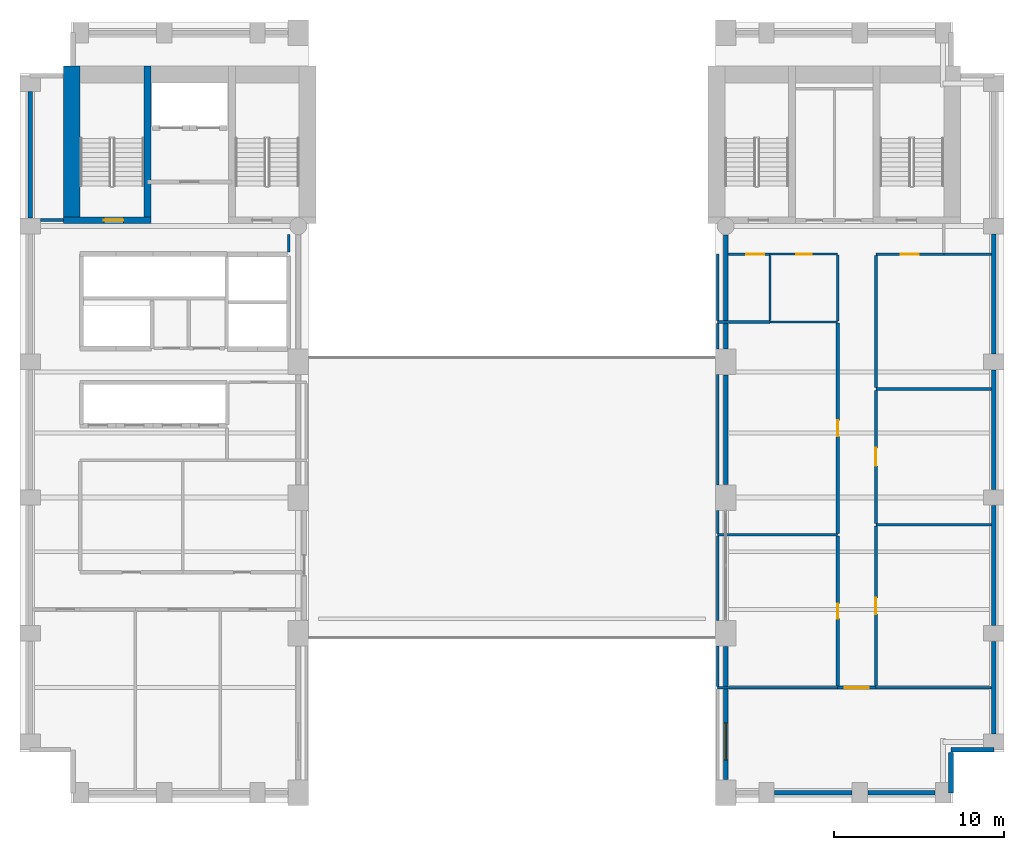
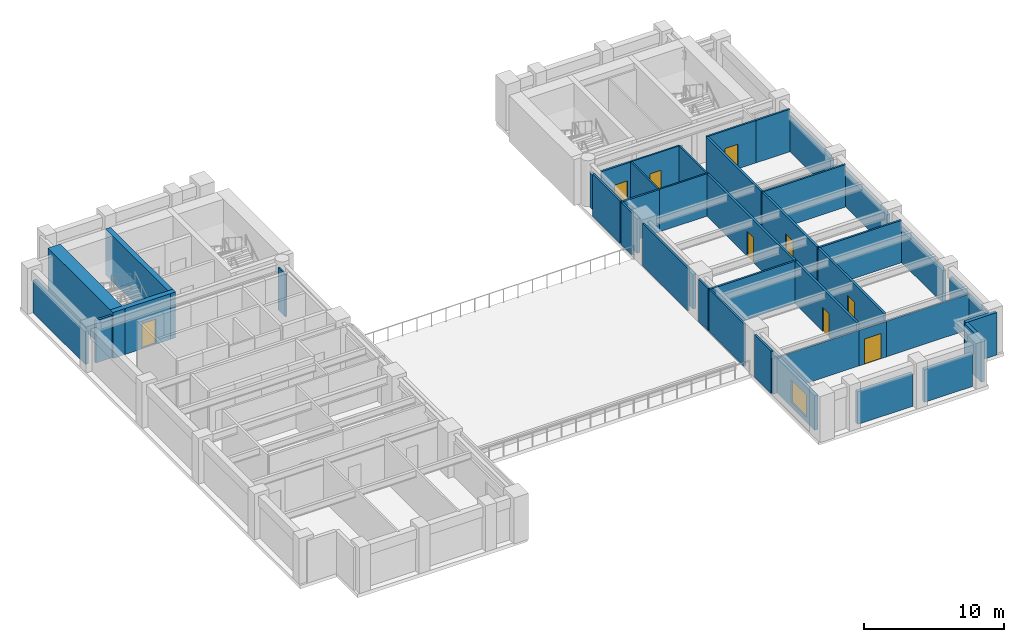
# One storey, part 5 of 10: 42 walls, 9 doors, 1 window, 10 openings.
"""IFC4 building model written with IfcOpenShell, lengths in metres."""

import ifcopenshell
import ifcopenshell.guid

model = None  # the IFC model being written
_history = None  # IfcOwnerHistory: only IFC2X3 demands one
_inside = {}  # id of a spatial element -> (the spatial element, [elements in it])
_under = {}  # id of a project, library or spatial element -> (it, [spatial elements below it])
_declared = {}  # id of a project -> (the project, [libraries it declares])
_typed = {}  # id of a type object -> (the type object, [elements of that type])
_made_of = {}  # id of a material, layer set ... -> (it, [elements and type objects made of it])


def new_model(schema):
    """Start an empty IFC model of exactly this schema.

    Asked for "IFC4X3", IfcOpenShell would pick the latest addendum, in which some entities
    have other attributes; the version numbers below select the first issue.
    IFC2X3 requires an IfcOwnerHistory on every rooted entity: one is made here for all.
    """
    global model, _history
    if schema == "IFC4X3":
        model = ifcopenshell.file(schema_version=(4, 3, 0, 0))
    else:
        model = ifcopenshell.file(schema=schema)
    _inside.clear()
    _under.clear()
    _declared.clear()
    _typed.clear()
    _made_of.clear()
    _history = None
    if model.schema == "IFC2X3":
        org = make("IfcOrganization", Name="unknown")
        user = make(
            "IfcPersonAndOrganization",
            ThePerson=make("IfcPerson", FamilyName="unknown"),
            TheOrganization=org,
        )
        app = make(
            "IfcApplication",
            ApplicationDeveloper=org,
            Version="unknown",
            ApplicationFullName="unknown",
            ApplicationIdentifier="unknown",
        )
        _history = make(
            "IfcOwnerHistory",
            OwningUser=user,
            OwningApplication=app,
            ChangeAction="ADDED",
            CreationDate=0,
        )
    return model


def make(cls, **values):
    """One entity of the class cls with the attributes given. An attribute that is None is left unset."""
    return model.create_entity(
        cls, **{name: value for name, value in values.items() if value is not None}
    )


def rooted(cls, **values):
    """An entity with a GlobalId (a new one), such as an element, a storey or a relation."""
    return make(cls, GlobalId=ifcopenshell.guid.new(), OwnerHistory=_history, **values)


def si_unit(unit_type, name, prefix=None):
    """IfcSIUnit, for example si_unit("LENGTHUNIT", "METRE", prefix="MILLI")."""
    return make("IfcSIUnit", UnitType=unit_type, Prefix=prefix, Name=name)


def assignment(units):
    """IfcUnitAssignment: the units of a project."""
    return None if units is None else make("IfcUnitAssignment", Units=units)


def point(xyz):
    """IfcCartesianPoint."""
    return None if xyz is None else make("IfcCartesianPoint", Coordinates=xyz)


def direction(xyz):
    """IfcDirection."""
    return None if xyz is None else make("IfcDirection", DirectionRatios=xyz)


def frame(location, z_axis=None, x_axis=None):
    """IfcAxis2Placement3D, a coordinate frame: its origin and axes. An axis left out is left unset."""
    return make(
        "IfcAxis2Placement3D",
        Location=point(location),
        Axis=direction(z_axis),
        RefDirection=direction(x_axis),
    )


def frame_2d(location, x_axis=None):
    """IfcAxis2Placement2D, a coordinate frame in the plane: its origin and x axis."""
    return make(
        "IfcAxis2Placement2D", Location=point(location), RefDirection=direction(x_axis)
    )


def origin():
    """The frame at (0, 0, 0) with its axes left unset."""
    return frame((0.0, 0.0, 0.0))


def place(relative_to, where):
    """IfcLocalPlacement: puts the frame where relative to a parent placement (None: the world)."""
    return make(
        "IfcLocalPlacement", PlacementRelTo=relative_to, RelativePlacement=where
    )


def context(
    kind, dimensions, precision=None, world=None, true_north=None, identifier=None
):
    """IfcGeometricRepresentationContext, for example the 3D "Model" context."""
    return make(
        "IfcGeometricRepresentationContext",
        ContextIdentifier=identifier,
        ContextType=kind,
        CoordinateSpaceDimension=dimensions,
        Precision=precision,
        WorldCoordinateSystem=world,
        TrueNorth=true_north,
    )


def subcontext(parent, identifier, kind, view, scale=None):
    """IfcGeometricRepresentationSubContext, for example "Body" below "Model"."""
    return make(
        "IfcGeometricRepresentationSubContext",
        ContextIdentifier=identifier,
        ContextType=kind,
        ParentContext=parent,
        TargetScale=scale,
        TargetView=view,
    )


def project(units=None, contexts=None):
    """IfcProject with its units and contexts."""
    return rooted(
        "IfcProject",
        Name="project",
        RepresentationContexts=contexts,
        UnitsInContext=assignment(units),
    )


def spatial(cls, under=None, at=None, **own):
    """A site, building, storey or space (cls), placed at a placement, below another one or the project."""
    s = rooted(cls, ObjectPlacement=at, **own)
    if under is not None:
        _under.setdefault(under.id(), (under, []))[1].append(s)
    return s


def profile(cls, at=None, kind="AREA", **sizes):
    """A parametric profile (cls). Its sizes go by their IFC names, for example OverallWidth=200.0."""
    return make(cls, ProfileType=kind, Position=at, **sizes)


def rectangle(**sizes):
    """IfcRectangleProfileDef."""
    return profile("IfcRectangleProfileDef", **sizes)


def extrude(swept, where, along, depth):
    """IfcExtrudedAreaSolid: the profile swept, set in the frame where, extruded along a direction by depth."""
    return make(
        "IfcExtrudedAreaSolid",
        SweptArea=swept,
        Position=where,
        ExtrudedDirection=direction(along),
        Depth=depth,
    )


def shape(context_of_items, identifier, shape_type, items):
    """IfcShapeRepresentation: the items that make up one representation, for example the "Body"."""
    return make(
        "IfcShapeRepresentation",
        ContextOfItems=context_of_items,
        RepresentationIdentifier=identifier,
        RepresentationType=shape_type,
        Items=items,
    )


def material(Name=None, Category=None):
    """IfcMaterial."""
    return make("IfcMaterial", Name=Name, Category=Category)


def layer(
    of_material, thickness, ventilated=None, Name=None, Category=None, Priority=None
):
    """IfcMaterialLayer: one layer of a wall or slab, of a material (None: an air gap)."""
    return make(
        "IfcMaterialLayer",
        Material=of_material,
        LayerThickness=thickness,
        IsVentilated=ventilated,
        Name=Name,
        Category=Category,
        Priority=Priority,
    )


def layer_set(layers, Name=None):
    """IfcMaterialLayerSet."""
    return make("IfcMaterialLayerSet", MaterialLayers=layers, LayerSetName=Name)


def made_of(thing, what):
    """Note that an element or type object is made of a material, layer set ...; save() writes the relation."""
    if what is not None:
        _made_of.setdefault(what.id(), (what, []))[1].append(thing)
    return thing


def type_object(cls, material=None, **own):
    """A type object (cls), such as IfcWallType, which elements share."""
    return made_of(rooted(cls, **own), material)


def element(
    cls,
    number,
    at=None,
    inside=None,
    cuts=None,
    type_object=None,
    material=None,
    context=None,
    identifier="Body",
    shape_type=None,
    held_by="IfcProductDefinitionShape",
    body=None,
    shapes=None,
    **own,
):
    """One element of the class cls, such as IfcWall. Its Tag is "e" and its number.

    at: its placement. inside: the storey or other place that contains it. cuts: it is an
    opening in that element (IfcRelVoidsElement). A single representation is given by context,
    identifier, shape_type and body (its items); several are given by shapes. held_by: the class
    of the entity that holds the representations. save() writes the other relations.
    """
    e = rooted(cls, Tag="e%d" % number, ObjectPlacement=at, **own)
    if body is not None:
        shapes = [shape(context, identifier, shape_type, body)]
    if shapes is not None:
        e.Representation = make(held_by, Representations=shapes)
    if inside is not None:
        _inside.setdefault(inside.id(), (inside, []))[1].append(e)
    if cuts is not None:
        rooted(
            "IfcRelVoidsElement", RelatingBuildingElement=cuts, RelatedOpeningElement=e
        )
    if type_object is not None:
        _typed.setdefault(type_object.id(), (type_object, []))[1].append(e)
    return made_of(e, material)


def fill(opening, filler):
    """IfcRelFillsElement: the door or window that sits in an opening."""
    return rooted(
        "IfcRelFillsElement",
        RelatingOpeningElement=opening,
        RelatedBuildingElement=filler,
    )


def aggregate(whole, parts):
    """IfcRelAggregates: a whole, such as a stair, and the parts it consists of."""
    return rooted("IfcRelAggregates", RelatingObject=whole, RelatedObjects=parts)


def save(model, path):
    """Write the relations noted so far, then the file.

    IfcRelAggregates (storeys below a building ...), IfcRelContainedInSpatialStructure (elements
    in a storey), IfcRelDefinesByType, IfcRelAssociatesMaterial and IfcRelDeclares: one each for
    every whole, place, type object, material and project.
    """
    for whole, parts in _under.values():
        aggregate(whole, parts)
    for where, things in _inside.values():
        rooted(
            "IfcRelContainedInSpatialStructure",
            RelatedElements=things,
            RelatingStructure=where,
        )
    for kind, things in _typed.values():
        rooted("IfcRelDefinesByType", RelatedObjects=things, RelatingType=kind)
    for what, things in _made_of.values():
        rooted("IfcRelAssociatesMaterial", RelatedObjects=things, RelatingMaterial=what)
    for by, libraries in _declared.values():
        rooted("IfcRelDeclares", RelatingContext=by, RelatedDefinitions=libraries)
    model.write(path)


model = new_model("IFC4")

# Units and contexts
model_context = context("Model", 3, precision=1e-05, world=origin(), true_north=direction((0.0, 1.0)))
body_context = subcontext(model_context, "Body", "Model", "MODEL_VIEW")
ifc_project = project(units=[si_unit("LENGTHUNIT", "METRE"), si_unit("AREAUNIT", "SQUARE_METRE"), si_unit("VOLUMEUNIT", "CUBIC_METRE"), si_unit("PLANEANGLEUNIT", "RADIAN"), si_unit("MASSUNIT", "GRAM", prefix="KILO")], contexts=[model_context])

# Site, building, storey
site_placement = place(None, origin())
site = spatial("IfcSite", under=ifc_project, at=site_placement, CompositionType="ELEMENT")
building_placement = place(site_placement, origin())
building = spatial("IfcBuilding", under=site, at=building_placement, Name="Sulina Concourse Tower", CompositionType="ELEMENT")
storey_placement = place(building_placement, frame((0.0, 0.0, 30.60009765625)))
storey = spatial("IfcBuildingStorey", under=building, at=storey_placement, Name="L07", CompositionType="ELEMENT", Elevation=30.60009765625)

# Walls
ifc_material_1 = material(Name="Gypsum board on steel stud", Category="steel")
ifc_layer_1 = layer(ifc_material_1, 0.14990234375)
ifc_layer_set_1 = layer_set([ifc_layer_1], Name="Gypsum board on steel stud")
wall_type_1 = type_object("IfcWallType", Name="Inter-Tenancy Acoustic Partition 150mm", PredefinedType="PARTITIONING", material=ifc_layer_set_1)
wall_1_placement = place(storey_placement, frame((41.1201171875, 6.800048828125, 0.0), z_axis=(0.0, 0.0, 1.0), x_axis=(1.0, 0.0, 0.0)))
element("IfcWall", 1, at=wall_1_placement, inside=storey, type_object=wall_type_1, Name="L07 interior partition 001", PredefinedType="PARTITIONING", context=body_context, shape_type="SweptSolid", body=[
    extrude(rectangle(XDim=7.079833984375, YDim=0.14990234375, at=frame_2d((3.5400390625, 0.0))), origin(), (0.0, 0.0, 1.0), 3.094970703125),
])
wall_2_placement = place(storey_placement, frame((50.449951171875, 6.800048828125, 0.0), z_axis=(0.0, 0.0, 1.0), x_axis=(1.0, 0.0, 0.0)))
element("IfcWall", 2, at=wall_2_placement, inside=storey, type_object=wall_type_1, Name="L07 interior partition 003", PredefinedType="PARTITIONING", context=body_context, shape_type="SweptSolid", body=[
    extrude(rectangle(XDim=6.81005859375, YDim=0.14990234375, at=frame_2d((3.405029296875, 0.0))), origin(), (0.0, 0.0, 1.0), 3.094970703125),
])
wall_3_placement = place(storey_placement, frame((41.1201171875, 15.800048828125, 0.0), z_axis=(0.0, 0.0, 1.0), x_axis=(1.0, 0.0, 0.0)))
element("IfcWall", 3, at=wall_3_placement, inside=storey, type_object=wall_type_1, Name="L07 interior partition 010", PredefinedType="PARTITIONING", context=body_context, shape_type="SweptSolid", body=[
    extrude(rectangle(XDim=7.079833984375, YDim=0.14990234375, at=frame_2d((3.5400390625, 0.0))), origin(), (0.0, 0.0, 1.0), 3.699951171875),
])
for number, where, z_axis, x_axis, name in (
    (4, (50.449951171875, 16.39990234375, 0.0), (0.0, 0.0, 1.0), (1.0, 0.0, 0.0), "L07 interior partition 011"),
    (5, (50.449951171875, 24.39990234375, 0.0), (0.0, 0.0, 1.0), (1.0, 0.0, 0.0), "L07 interior partition 015"),
):
    element("IfcWall", number, at=place(storey_placement, frame(where, z_axis=z_axis, x_axis=x_axis)), inside=storey, type_object=wall_type_1, Name=name, PredefinedType="PARTITIONING", context=body_context, shape_type="SweptSolid", body=[
        extrude(rectangle(XDim=6.81005859375, YDim=0.14990234375, at=frame_2d((3.405029296875, 0.0))), origin(), (0.0, 0.0, 1.0), 3.699951171875),
    ])
wall_4_placement = place(storey_placement, frame((41.1201171875, 28.35009765625, 0.0), z_axis=(0.0, 0.0, 1.0), x_axis=(1.0, 0.0, 0.0)))
element("IfcWall", 6, at=wall_4_placement, inside=storey, type_object=wall_type_1, Name="L07 interior partition 020", PredefinedType="PARTITIONING", context=body_context, shape_type="SweptSolid", body=[
    extrude(rectangle(XDim=3.079833984375, YDim=0.14990234375, at=frame_2d((1.5400390625, 0.0))), origin(), (0.0, 0.0, 1.0), 3.699951171875),
])

# Wall, opening, door
wall_5_placement = place(storey_placement, frame((41.739990234375, 32.35009765625, 0.0), z_axis=(0.0, 0.0, 1.0), x_axis=(1.0, 0.0, 0.0)))
wall_5 = element("IfcWall", 7, at=wall_5_placement, inside=storey, type_object=wall_type_1, Name="L07 interior partition 022", PredefinedType="PARTITIONING", context=body_context, shape_type="SweptSolid", body=[
    extrude(rectangle(XDim=2.4599609375, YDim=0.14990234375, at=frame_2d((1.22998046875, 0.0))), origin(), (0.0, 0.0, 1.0), 3.699951171875),
])
opening_1_placement = place(wall_5_placement, frame((1.06494140625, 0.0, 0.0)))
opening_1 = element("IfcOpeningElement", 8, at=opening_1_placement, cuts=wall_5, Name="Opening DR-37", PredefinedType="OPENING", context=body_context, shape_type="SweptSolid", body=[
    extrude(rectangle(XDim=1.050048828125, YDim=2.14990234375, at=frame_2d((0.52490234375, 1.074951171875))), frame((0.0, 0.0849609375, 0.0), z_axis=(0.0, -1.0, 0.0), x_axis=(1.0, 0.0, 0.0)), (0.0, 0.0, 1.0), 0.169921875),
])
ifc_material_2 = material(Name="Oak-veneered fire door leaf")
ifc_layer_2 = layer(ifc_material_2, 0.050048828125)
ifc_layer_set_2 = layer_set([ifc_layer_2], Name="Oak-veneered fire door leaf")
door_type_1 = type_object("IfcDoorType", Name="Tenant Suite Entrance Fire Door 1050x2150", OperationType="NOTDEFINED", PredefinedType="DOOR", material=ifc_layer_set_2)
door_1_placement = place(opening_1_placement, origin())
door_1 = element("IfcDoor", 9, at=door_1_placement, inside=storey, type_object=door_type_1, Name="L07 interior door L07-REC-EW", OperationType="SINGLE_SWING_LEFT", OverallHeight=2.14990234375, OverallWidth=1.050048828125, PredefinedType="DOOR", context=body_context, shape_type="SweptSolid", body=[
    extrude(rectangle(XDim=1.050048828125, YDim=2.14990234375, at=frame_2d((0.52490234375, 1.074951171875))), frame((0.0, 0.02490234375, 0.0), z_axis=(0.0, -1.0, 0.0), x_axis=(1.0, 0.0, 0.0)), (0.0, 0.0, 1.0), 0.050048828125),
])
fill(opening_1, door_1)

wall_6_placement = place(storey_placement, frame((50.449951171875, 32.35009765625, 0.0), z_axis=(0.0, 0.0, 1.0), x_axis=(1.0, 0.0, 0.0)))
wall_6 = element("IfcWall", 10, at=wall_6_placement, inside=storey, type_object=wall_type_1, Name="L07 interior partition 024", PredefinedType="PARTITIONING", context=body_context, shape_type="SweptSolid", body=[
    extrude(rectangle(XDim=4.0, YDim=0.14990234375, at=frame_2d((2.0, 0.0))), origin(), (0.0, 0.0, 1.0), 3.699951171875),
])
opening_2_placement = place(wall_6_placement, frame((1.47509765625, 0.0, 0.0)))
opening_2 = element("IfcOpeningElement", 11, at=opening_2_placement, cuts=wall_6, Name="Opening DR-37", PredefinedType="OPENING", context=body_context, shape_type="SweptSolid", body=[
    extrude(rectangle(XDim=1.050048828125, YDim=2.14990234375, at=frame_2d((0.52490234375, 1.074951171875))), frame((0.0, 0.0849609375, 0.0), z_axis=(0.0, -1.0, 0.0), x_axis=(1.0, 0.0, 0.0)), (0.0, 0.0, 1.0), 0.169921875),
])
door_2_placement = place(opening_2_placement, origin())
door_2 = element("IfcDoor", 12, at=door_2_placement, inside=storey, type_object=door_type_1, Name="L07 interior door L07-OFF-E3", OperationType="SINGLE_SWING_LEFT", OverallHeight=2.14990234375, OverallWidth=1.050048828125, PredefinedType="DOOR", context=body_context, shape_type="SweptSolid", body=[
    extrude(rectangle(XDim=1.050048828125, YDim=2.14990234375, at=frame_2d((0.52490234375, 1.074951171875))), frame((0.0, 0.02490234375, 0.0), z_axis=(0.0, -1.0, 0.0), x_axis=(1.0, 0.0, 0.0)), (0.0, 0.0, 1.0), 0.050048828125),
])
fill(opening_2, door_2)

# Walls
wall_7_placement = place(storey_placement, frame((54.449951171875, 32.35009765625, 0.0), z_axis=(0.0, 0.0, 1.0), x_axis=(1.0, 0.0, 0.0)))
element("IfcWall", 13, at=wall_7_placement, inside=storey, type_object=wall_type_1, Name="L07 interior partition 025", PredefinedType="PARTITIONING", context=body_context, shape_type="SweptSolid", body=[
    extrude(rectangle(XDim=2.81005859375, YDim=0.14990234375, at=frame_2d((1.405029296875, 0.0))), origin(), (0.0, 0.0, 1.0), 3.699951171875),
])
wall_8_placement = place(storey_placement, frame((15.85009765625, 32.469970703125, 0.0), z_axis=(0.0, 0.0, 1.0), x_axis=(0.0, 1.0, 0.0)))
element("IfcWall", 14, at=wall_8_placement, inside=storey, type_object=wall_type_1, Name="L07 interior partition 035", PredefinedType="PARTITIONING", context=body_context, shape_type="SweptSolid", body=[
    extrude(rectangle(XDim=1.030029296875, YDim=0.14990234375, at=frame_2d((0.51513671875, 0.0))), origin(), (0.0, 0.0, 1.0), 3.699951171875),
])
wall_9_placement = place(storey_placement, frame((41.1201171875, 6.875, 0.0), z_axis=(0.0, 0.0, 1.0), x_axis=(0.0, 1.0, 0.0)))
element("IfcWall", 15, at=wall_9_placement, inside=storey, type_object=wall_type_1, Name="L07 interior partition 040", PredefinedType="PARTITIONING", context=body_context, shape_type="SweptSolid", body=[
    extrude(rectangle(XDim=2.375, YDim=0.14990234375, at=frame_2d((1.1875, 0.0))), origin(), (0.0, 0.0, 1.0), 3.699951171875),
])
wall_10_placement = place(storey_placement, frame((41.1201171875, 10.75, 0.0), z_axis=(0.0, 0.0, 1.0), x_axis=(0.0, 1.0, 0.0)))
element("IfcWall", 16, at=wall_10_placement, inside=storey, type_object=wall_type_1, Name="L07 interior partition 041", PredefinedType="PARTITIONING", context=body_context, shape_type="SweptSolid", body=[
    extrude(rectangle(XDim=4.97509765625, YDim=0.14990234375, at=frame_2d((2.487548828125, 0.0))), origin(), (0.0, 0.0, 1.0), 3.699951171875),
])
wall_11_placement = place(storey_placement, frame((41.1201171875, 15.875, 0.0), z_axis=(0.0, 0.0, 1.0), x_axis=(0.0, 1.0, 0.0)))
element("IfcWall", 17, at=wall_11_placement, inside=storey, type_object=wall_type_1, Name="L07 interior partition 042", PredefinedType="PARTITIONING", context=body_context, shape_type="SweptSolid", body=[
    extrude(rectangle(XDim=1.375, YDim=0.14990234375, at=frame_2d((0.6875, 0.0))), origin(), (0.0, 0.0, 1.0), 3.699951171875),
])
wall_12_placement = place(storey_placement, frame((41.1201171875, 18.75, 0.0), z_axis=(0.0, 0.0, 1.0), x_axis=(0.0, 1.0, 0.0)))
element("IfcWall", 18, at=wall_12_placement, inside=storey, type_object=wall_type_1, Name="L07 interior partition 043", PredefinedType="PARTITIONING", context=body_context, shape_type="SweptSolid", body=[
    extrude(rectangle(XDim=6.5, YDim=0.14990234375, at=frame_2d((3.25, 0.0))), origin(), (0.0, 0.0, 1.0), 3.699951171875),
])
wall_13_placement = place(storey_placement, frame((41.1201171875, 26.75, 0.0), z_axis=(0.0, 0.0, 1.0), x_axis=(0.0, 1.0, 0.0)))
element("IfcWall", 19, at=wall_13_placement, inside=storey, type_object=wall_type_1, Name="L07 interior partition 044", PredefinedType="PARTITIONING", context=body_context, shape_type="SweptSolid", body=[
    extrude(rectangle(XDim=1.52490234375, YDim=0.14990234375, at=frame_2d((0.762451171875, 0.0))), origin(), (0.0, 0.0, 1.0), 3.699951171875),
])
wall_14_placement = place(storey_placement, frame((41.1201171875, 28.425048828125, 0.0), z_axis=(0.0, 0.0, 1.0), x_axis=(0.0, 1.0, 0.0)))
element("IfcWall", 20, at=wall_14_placement, inside=storey, type_object=wall_type_1, Name="L07 interior partition 045", PredefinedType="PARTITIONING", context=body_context, shape_type="SweptSolid", body=[
    extrude(rectangle(XDim=3.925048828125, YDim=0.14990234375, at=frame_2d((1.96240234375, 0.0))), origin(), (0.0, 0.0, 1.0), 3.699951171875),
])

# Wall, opening, door
ifc_material_3 = material(Name="Gypsum board on steel stud", Category="steel")
ifc_layer_3 = layer(ifc_material_3, 0.179931640625)
ifc_layer_set_3 = layer_set([ifc_layer_3], Name="Gypsum board on steel stud")
wall_type_2 = type_object("IfcWallType", Name="Protected Corridor & Riser Partition 180mm", PredefinedType="PARTITIONING", material=ifc_layer_set_3)
wall_15_placement = place(storey_placement, frame((48.199951171875, 6.800048828125, 0.0), z_axis=(0.0, 0.0, 1.0), x_axis=(1.0, 0.0, 0.0)))
wall_15 = element("IfcWall", 21, at=wall_15_placement, inside=storey, type_object=wall_type_2, Name="L07 interior partition 002", PredefinedType="PARTITIONING", context=body_context, shape_type="SweptSolid", body=[
    extrude(rectangle(XDim=2.25, YDim=0.179931640625, at=frame_2d((1.125, 0.0))), origin(), (0.0, 0.0, 1.0), 3.094970703125),
])
opening_3_placement = place(wall_15_placement, frame((0.425048828125, 0.0, 0.0)))
opening_3 = element("IfcOpeningElement", 22, at=opening_3_placement, cuts=wall_15, Name="Opening DR-57", PredefinedType="OPENING", context=body_context, shape_type="SweptSolid", body=[
    extrude(rectangle(XDim=1.39990234375, YDim=2.199951171875, at=frame_2d((0.699951171875, 1.10009765625))), frame((0.0, 0.099853515625, 0.0), z_axis=(0.0, -1.0, 0.0), x_axis=(1.0, 0.0, 0.0)), (0.0, 0.0, 1.0), 0.199951171875),
])
ifc_material_4 = material(Name="Oak-veneered fire door leaf")
ifc_layer_4 = layer(ifc_material_4, 0.054931640625)
ifc_layer_set_4 = layer_set([ifc_layer_4], Name="Oak-veneered fire door leaf")
door_type_2 = type_object("IfcDoorType", Name="Core Lift Lobby Double Fire Door 1400x2200", OperationType="DOUBLE_DOOR_SINGLE_SWING", PredefinedType="DOOR", material=ifc_layer_set_4)
door_3_placement = place(opening_3_placement, origin())
door_3 = element("IfcDoor", 23, at=door_3_placement, inside=storey, type_object=door_type_2, Name="L07 interior door L07-FOR-E1", OperationType="DOUBLE_DOOR_SINGLE_SWING", OverallHeight=2.199951171875, OverallWidth=1.39990234375, PredefinedType="DOOR", context=body_context, shape_type="SweptSolid", body=[
    extrude(rectangle(XDim=1.39990234375, YDim=2.199951171875, at=frame_2d((0.699951171875, 1.10009765625))), frame((0.0, 0.02490234375, 0.0), z_axis=(0.0, -1.0, 0.0), x_axis=(1.0, 0.0, 0.0)), (0.0, 0.0, 1.0), 0.050048828125),
])
fill(opening_3, door_3)

# Wall
wall_16_placement = place(storey_placement, frame((1.199951171875, 34.35009765625, 0.0), z_axis=(0.0, 0.0, 1.0), x_axis=(1.0, 0.0, 0.0)))
element("IfcWall", 24, at=wall_16_placement, inside=storey, type_object=wall_type_2, Name="L07 interior partition 026", PredefinedType="PARTITIONING", context=body_context, shape_type="SweptSolid", body=[
    extrude(rectangle(XDim=1.35009765625, YDim=0.179931640625, at=frame_2d((0.675048828125, 0.0))), origin(), (0.0, 0.0, 1.0), 3.699951171875),
])

# Wall, opening, door
wall_17_placement = place(storey_placement, frame((48.199951171875, 6.889892578125, 0.0), z_axis=(0.0, 0.0, 1.0), x_axis=(0.0, 1.0, 0.0)))
wall_17 = element("IfcWall", 25, at=wall_17_placement, inside=storey, type_object=wall_type_2, Name="L07 interior partition 048", PredefinedType="PARTITIONING", context=body_context, shape_type="SweptSolid", body=[
    extrude(rectangle(XDim=8.835205078125, YDim=0.179931640625, at=frame_2d((4.41748046875, 0.0))), origin(), (0.0, 0.0, 1.0), 3.699951171875),
])
opening_4_placement = place(wall_17_placement, frame((3.9775390625, 0.0, 0.0)))
opening_4 = element("IfcOpeningElement", 26, at=opening_4_placement, cuts=wall_17, Name="Opening DR-38", PredefinedType="OPENING", context=body_context, shape_type="SweptSolid", body=[
    extrude(rectangle(XDim=0.8798828125, YDim=2.10009765625, at=frame_2d((0.43994140625, 1.050048828125))), frame((0.0, 0.099853515625, 0.0), z_axis=(0.0, -1.0, 0.0), x_axis=(1.0, 0.0, 0.0)), (0.0, 0.0, 1.0), 0.199951171875),
])
ifc_material_5 = material(Name="Galvanised steel acoustic fire leaf", Category="steel")
ifc_layer_5 = layer(ifc_material_5, 0.050048828125)
ifc_layer_set_5 = layer_set([ifc_layer_5], Name="Galvanised steel acoustic fire leaf")
door_type_3 = type_object("IfcDoorType", Name="Service Riser Fire Door 880x2100", OperationType="NOTDEFINED", PredefinedType="DOOR", material=ifc_layer_set_5)
door_4_placement = place(opening_4_placement, origin())
door_4 = element("IfcDoor", 27, at=door_4_placement, inside=storey, type_object=door_type_3, Name="L07 interior door L07-STR-E1", OperationType="SINGLE_SWING_RIGHT", OverallHeight=2.10009765625, OverallWidth=0.8798828125, PredefinedType="DOOR", context=body_context, shape_type="SweptSolid", body=[
    extrude(rectangle(XDim=0.8798828125, YDim=2.10009765625, at=frame_2d((0.43994140625, 1.050048828125))), frame((0.0, 0.02490234375, 0.0), z_axis=(0.0, -1.0, 0.0), x_axis=(1.0, 0.0, 0.0)), (0.0, 0.0, 1.0), 0.050048828125),
])
fill(opening_4, door_4)

wall_18_placement = place(storey_placement, frame((48.199951171875, 15.875, 0.0), z_axis=(0.0, 0.0, 1.0), x_axis=(0.0, 1.0, 0.0)))
wall_18 = element("IfcWall", 28, at=wall_18_placement, inside=storey, type_object=wall_type_2, Name="L07 interior partition 049", PredefinedType="PARTITIONING", context=body_context, shape_type="SweptSolid", body=[
    extrude(rectangle(XDim=12.41259765625, YDim=0.179931640625, at=frame_2d((6.206298828125, 0.0))), origin(), (0.0, 0.0, 1.0), 3.699951171875),
])
opening_5_placement = place(wall_18_placement, frame((5.731201171875, 0.0, 0.0)))
opening_5 = element("IfcOpeningElement", 29, at=opening_5_placement, cuts=wall_18, Name="Opening DR-19", PredefinedType="OPENING", context=body_context, shape_type="SweptSolid", body=[
    extrude(rectangle(XDim=0.949951171875, YDim=2.14990234375, at=frame_2d((0.47509765625, 1.074951171875))), frame((0.0, 0.099853515625, 0.0), z_axis=(0.0, -1.0, 0.0), x_axis=(1.0, 0.0, 0.0)), (0.0, 0.0, 1.0), 0.199951171875),
])
ifc_material_6 = material(Name="Oak-veneered acoustic timber leaf", Category="wood")
ifc_layer_6 = layer(ifc_material_6, 0.050048828125)
ifc_layer_set_6 = layer_set([ifc_layer_6], Name="Oak-veneered acoustic timber leaf")
door_type_4 = type_object("IfcDoorType", Name="Cellular Office & Meeting Door 950x2150", OperationType="NOTDEFINED", PredefinedType="DOOR", material=ifc_layer_set_6)
door_5_placement = place(opening_5_placement, origin())
door_5 = element("IfcDoor", 30, at=door_5_placement, inside=storey, type_object=door_type_4, Name="L07 interior door L07-MTG-E2", OperationType="SINGLE_SWING_LEFT", OverallHeight=2.14990234375, OverallWidth=0.949951171875, PredefinedType="DOOR", context=body_context, shape_type="SweptSolid", body=[
    extrude(rectangle(XDim=0.949951171875, YDim=2.14990234375, at=frame_2d((0.47509765625, 1.074951171875))), frame((0.0, 0.02490234375, 0.0), z_axis=(0.0, -1.0, 0.0), x_axis=(1.0, 0.0, 0.0)), (0.0, 0.0, 1.0), 0.050048828125),
])
fill(opening_5, door_5)

wall_19_placement = place(storey_placement, frame((50.449951171875, 6.889892578125, 0.0), z_axis=(0.0, 0.0, 1.0), x_axis=(0.0, 1.0, 0.0)))
wall_19 = element("IfcWall", 31, at=wall_19_placement, inside=storey, type_object=wall_type_2, Name="L07 interior partition 051", PredefinedType="PARTITIONING", context=body_context, shape_type="SweptSolid", body=[
    extrude(rectangle(XDim=9.43505859375, YDim=0.179931640625, at=frame_2d((4.717529296875, 0.0))), origin(), (0.0, 0.0, 1.0), 3.699951171875),
])
opening_6_placement = place(wall_19_placement, frame((4.242431640625, 0.0, 0.0)))
opening_6 = element("IfcOpeningElement", 32, at=opening_6_placement, cuts=wall_19, Name="Opening DR-19", PredefinedType="OPENING", context=body_context, shape_type="SweptSolid", body=[
    extrude(rectangle(XDim=0.949951171875, YDim=2.14990234375, at=frame_2d((0.47509765625, 1.074951171875))), frame((0.0, 0.099853515625, 0.0), z_axis=(0.0, -1.0, 0.0), x_axis=(1.0, 0.0, 0.0)), (0.0, 0.0, 1.0), 0.199951171875),
])
door_6_placement = place(opening_6_placement, origin())
door_6 = element("IfcDoor", 33, at=door_6_placement, inside=storey, type_object=door_type_4, Name="L07 interior door L07-STD-E1", OperationType="SINGLE_SWING_RIGHT", OverallHeight=2.14990234375, OverallWidth=0.949951171875, PredefinedType="DOOR", context=body_context, shape_type="SweptSolid", body=[
    extrude(rectangle(XDim=0.949951171875, YDim=2.14990234375, at=frame_2d((0.47509765625, 1.074951171875))), frame((0.0, 0.02490234375, 0.0), z_axis=(0.0, -1.0, 0.0), x_axis=(1.0, 0.0, 0.0)), (0.0, 0.0, 1.0), 0.050048828125),
])
fill(opening_6, door_6)

wall_20_placement = place(storey_placement, frame((50.449951171875, 16.47509765625, 0.0), z_axis=(0.0, 0.0, 1.0), x_axis=(0.0, 1.0, 0.0)))
wall_20 = element("IfcWall", 34, at=wall_20_placement, inside=storey, type_object=wall_type_2, Name="L07 interior partition 052", PredefinedType="PARTITIONING", context=body_context, shape_type="SweptSolid", body=[
    extrude(rectangle(XDim=7.849853515625, YDim=0.179931640625, at=frame_2d((3.9248046875, 0.0))), origin(), (0.0, 0.0, 1.0), 3.699951171875),
])
opening_7_placement = place(wall_20_placement, frame((3.39990234375, 0.0, 0.0)))
opening_7 = element("IfcOpeningElement", 35, at=opening_7_placement, cuts=wall_20, Name="Opening DR-37", PredefinedType="OPENING", context=body_context, shape_type="SweptSolid", body=[
    extrude(rectangle(XDim=1.050048828125, YDim=2.14990234375, at=frame_2d((0.52490234375, 1.074951171875))), frame((0.0, 0.099853515625, 0.0), z_axis=(0.0, -1.0, 0.0), x_axis=(1.0, 0.0, 0.0)), (0.0, 0.0, 1.0), 0.199951171875),
])
door_7_placement = place(opening_7_placement, origin())
door_7 = element("IfcDoor", 36, at=door_7_placement, inside=storey, type_object=door_type_1, Name="L07 interior door L07-OFF-E2", OperationType="SINGLE_SWING_LEFT", OverallHeight=2.14990234375, OverallWidth=1.050048828125, PredefinedType="DOOR", context=body_context, shape_type="SweptSolid", body=[
    extrude(rectangle(XDim=1.050048828125, YDim=2.14990234375, at=frame_2d((0.52490234375, 1.074951171875))), frame((0.0, 0.02490234375, 0.0), z_axis=(0.0, -1.0, 0.0), x_axis=(1.0, 0.0, 0.0)), (0.0, 0.0, 1.0), 0.050048828125),
])
fill(opening_7, door_7)

# Wall
wall_21_placement = place(storey_placement, frame((50.449951171875, 24.47509765625, 0.0), z_axis=(0.0, 0.0, 1.0), x_axis=(0.0, 1.0, 0.0)))
element("IfcWall", 37, at=wall_21_placement, inside=storey, type_object=wall_type_2, Name="L07 interior partition 053", PredefinedType="PARTITIONING", context=body_context, shape_type="SweptSolid", body=[
    extrude(rectangle(XDim=7.7998046875, YDim=0.179931640625, at=frame_2d((3.89990234375, 0.0))), origin(), (0.0, 0.0, 1.0), 3.699951171875),
])

# Wall, opening, door
ifc_material_7 = material(Name="Concrete C60/75", Category="concrete")
ifc_layer_7 = layer(ifc_material_7, 0.39990234375)
ifc_layer_set_7 = layer_set([ifc_layer_7], Name="Concrete C60/75")
wall_type_3 = type_object("IfcWallType", Name="Protected Stair Core Shear Wall 400mm", PredefinedType="SHEAR", material=ifc_layer_set_7)
wall_22_placement = place(storey_placement, frame((2.550048828125, 34.35009765625, 0.0), z_axis=(0.0, 0.0, 1.0), x_axis=(1.0, 0.0, 0.0)))
wall_22 = element("IfcWall", 38, at=wall_22_placement, inside=storey, type_object=wall_type_3, Name="L07 west core shear wall CW-WS1", PredefinedType="SHEAR", context=body_context, shape_type="SweptSolid", body=[
    extrude(rectangle(XDim=5.159912109375, YDim=0.39990234375, at=frame_2d((2.580078125, 0.0))), origin(), (0.0, 0.0, 1.0), 4.0),
])
opening_8_placement = place(wall_22_placement, frame((2.39990234375, 0.0, 0.0)))
opening_8 = element("IfcOpeningElement", 39, at=opening_8_placement, cuts=wall_22, Name="Opening DR-60", PredefinedType="OPENING", context=body_context, shape_type="SweptSolid", body=[
    extrude(rectangle(XDim=1.14990234375, YDim=2.199951171875, at=frame_2d((0.574951171875, 1.10009765625))), frame((0.0, 0.2099609375, 0.0), z_axis=(0.0, -1.0, 0.0), x_axis=(1.0, 0.0, 0.0)), (0.0, 0.0, 1.0), 0.419921875),
])
ifc_material_8 = material(Name="Galvanised steel acoustic fire leaf", Category="steel")
ifc_layer_8 = layer(ifc_material_8, 0.054931640625)
ifc_layer_set_8 = layer_set([ifc_layer_8], Name="Galvanised steel acoustic fire leaf")
door_type_5 = type_object("IfcDoorType", Name="Protected Exit Stair Fire Door 1150x2200", OperationType="NOTDEFINED", PredefinedType="DOOR", material=ifc_layer_set_8)
door_8_placement = place(opening_8_placement, origin())
door_8 = element("IfcDoor", 40, at=door_8_placement, inside=storey, type_object=door_type_5, Name="L07 stair ST-1 lobby fire door", OperationType="SINGLE_SWING_RIGHT", OverallHeight=2.199951171875, OverallWidth=1.14990234375, PredefinedType="DOOR", context=body_context, shape_type="SweptSolid", body=[
    extrude(rectangle(XDim=1.14990234375, YDim=2.199951171875, at=frame_2d((0.574951171875, 1.10009765625))), frame((0.0, 0.02490234375, 0.0), z_axis=(0.0, -1.0, 0.0), x_axis=(1.0, 0.0, 0.0)), (0.0, 0.0, 1.0), 0.050048828125),
])
fill(opening_8, door_8)

# Walls
wall_23_placement = place(storey_placement, frame((7.510009765625, 34.14990234375, 0.0), z_axis=(0.0, 0.0, 1.0), x_axis=(0.0, 1.0, 0.0)))
element("IfcWall", 41, at=wall_23_placement, inside=storey, type_object=wall_type_3, Name="L07 west core shear wall SW-ST1", PredefinedType="SHEAR", context=body_context, shape_type="SweptSolid", body=[
    extrude(rectangle(XDim=9.280029296875, YDim=0.39990234375, at=frame_2d((4.64013671875, 0.0))), origin(), (0.0, 0.0, 1.0), 4.0),
])
ifc_material_9 = material(Name="Concrete C80/95", Category="concrete")
ifc_layer_9 = layer(ifc_material_9, 1.0)
ifc_layer_set_9 = layer_set([ifc_layer_9], Name="Concrete C80/95")
wall_type_4 = type_object("IfcWallType", Name="Rear Core Shear Wall 1000mm", PredefinedType="SHEAR", material=ifc_layer_set_9)
wall_24_placement = place(storey_placement, frame((3.050048828125, 34.14990234375, 0.0), z_axis=(0.0, 0.0, 1.0), x_axis=(0.0, 1.0, 0.0)))
element("IfcWall", 42, at=wall_24_placement, inside=storey, type_object=wall_type_4, Name="L07 west core shear wall CW-WW", PredefinedType="SHEAR", context=body_context, shape_type="SweptSolid", body=[
    extrude(rectangle(XDim=9.280029296875, YDim=1.0, at=frame_2d((4.64013671875, 0.0))), origin(), (0.0, 0.0, 1.0), 4.0),
])
ifc_material_10 = material(Name="Precast concrete C50/60", Category="concrete")
ifc_layer_10 = layer(ifc_material_10, 0.280029296875)
ifc_layer_set_10 = layer_set([ifc_layer_10], Name="Precast concrete C50/60")
wall_type_5 = type_object("IfcWallType", Name="Typical Precast Masonry-Frame Facade Wall 280mm", PredefinedType="SOLIDWALL", material=ifc_layer_set_10)
wall_25_placement = place(storey_placement, frame((49.030029296875, 0.60009765625, 0.0), z_axis=(0.0, 0.0, 1.0), x_axis=(-1.0, 0.0, 0.0)))
element("IfcWall", 43, at=wall_25_placement, inside=storey, type_object=wall_type_5, Name="L07 exterior precast wall S6", PredefinedType="SOLIDWALL", context=body_context, shape_type="SweptSolid", body=[
    extrude(rectangle(XDim=4.56005859375, YDim=0.280029296875, at=frame_2d((2.280029296875, 0.0))), origin(), (0.0, 0.0, 1.0), 2.849853515625),
])
wall_26_placement = place(storey_placement, frame((53.929931640625, 0.60009765625, 0.0), z_axis=(0.0, 0.0, 1.0), x_axis=(-1.0, 0.0, 0.0)))
element("IfcWall", 44, at=wall_26_placement, inside=storey, type_object=wall_type_5, Name="L07 exterior precast wall S7", PredefinedType="SOLIDWALL", context=body_context, shape_type="SweptSolid", body=[
    extrude(rectangle(XDim=3.9599609375, YDim=0.280029296875, at=frame_2d((1.97998046875, 0.0))), origin(), (0.0, 0.0, 1.0), 2.849853515625),
])
wall_27_placement = place(storey_placement, frame((0.60009765625, 34.469970703125, 0.0), z_axis=(0.0, 0.0, 1.0), x_axis=(0.0, 1.0, 0.0)))
element("IfcWall", 45, at=wall_27_placement, inside=storey, type_object=wall_type_5, Name="L07 exterior precast wall W5", PredefinedType="SOLIDWALL", context=body_context, shape_type="SweptSolid", body=[
    extrude(rectangle(XDim=7.4599609375, YDim=0.280029296875, at=frame_2d((3.72998046875, 0.0))), origin(), (0.0, 0.0, 1.0), 2.849853515625),
])
wall_28_placement = place(storey_placement, frame((57.39990234375, 9.530029296875, 0.0), z_axis=(0.0, 0.0, 1.0), x_axis=(0.0, -1.0, 0.0)))
element("IfcWall", 46, at=wall_28_placement, inside=storey, type_object=wall_type_5, Name="L07 exterior precast wall E1", PredefinedType="SOLIDWALL", context=body_context, shape_type="SweptSolid", body=[
    extrude(rectangle(XDim=5.4599609375, YDim=0.280029296875, at=frame_2d((2.72998046875, 0.0))), origin(), (0.0, 0.0, 1.0), 2.849853515625),
])
for number, where, z_axis, x_axis, name in (
    (47, (57.39990234375, 17.530029296875, 0.0), (0.0, 0.0, 1.0), (0.0, -1.0, 0.0), "L07 exterior precast wall E2"),
    (48, (57.39990234375, 25.530029296875, 0.0), (0.0, 0.0, 1.0), (0.0, -1.0, 0.0), "L07 exterior precast wall E3"),
    (49, (57.39990234375, 33.530029296875, 0.0), (0.0, 0.0, 1.0), (0.0, -1.0, 0.0), "L07 exterior precast wall E4"),
):
    element("IfcWall", number, at=place(storey_placement, frame(where, z_axis=z_axis, x_axis=x_axis)), inside=storey, type_object=wall_type_5, Name=name, PredefinedType="SOLIDWALL", context=body_context, shape_type="SweptSolid", body=[
        extrude(rectangle(XDim=7.06005859375, YDim=0.280029296875, at=frame_2d((3.530029296875, 0.0))), origin(), (0.0, 0.0, 1.0), 2.849853515625),
    ])
wall_29_placement = place(storey_placement, frame((57.39990234375, 3.1298828125, 0.0), z_axis=(0.0, 0.0, 1.0), x_axis=(-1.0, 0.0, 0.0)))
element("IfcWall", 50, at=wall_29_placement, inside=storey, type_object=wall_type_5, Name="L07 exterior precast wall CSE1", PredefinedType="SOLIDWALL", context=body_context, shape_type="SweptSolid", body=[
    extrude(rectangle(XDim=2.52978515625, YDim=0.280029296875, at=frame_2d((1.264892578125, 0.0))), origin(), (0.0, 0.0, 1.0), 3.699951171875),
])
wall_30_placement = place(storey_placement, frame((54.8701171875, 2.985107421875, 0.0), z_axis=(0.0, 0.0, 1.0), x_axis=(0.0, -1.0, 0.0)))
element("IfcWall", 51, at=wall_30_placement, inside=storey, type_object=wall_type_5, Name="L07 exterior precast wall CSE2", PredefinedType="SOLIDWALL", context=body_context, shape_type="SweptSolid", body=[
    extrude(rectangle(XDim=2.385009765625, YDim=0.280029296875, at=frame_2d((1.1923828125, 0.0))), origin(), (0.0, 0.0, 1.0), 3.699951171875),
])

# Wall, opening, window
wall_31_placement = place(storey_placement, frame((41.60009765625, 1.3701171875, 0.0), z_axis=(0.0, 0.0, 1.0), x_axis=(0.0, 1.0, 0.0)))
wall_31 = element("IfcWall", 52, at=wall_31_placement, inside=storey, type_object=wall_type_5, Name="L07 exterior precast wall PE1", PredefinedType="SOLIDWALL", context=body_context, shape_type="SweptSolid", body=[
    extrude(rectangle(XDim=7.85986328125, YDim=0.280029296875, at=frame_2d((3.929931640625, 0.0))), origin(), (0.0, 0.0, 1.0), 3.0),
])
opening_9_placement = place(wall_31_placement, frame((1.1533203125, 0.0, 0.419921875)))
opening_9 = element("IfcOpeningElement", 53, at=opening_9_placement, cuts=wall_31, Name="Opening WN-76", PredefinedType="OPENING", context=body_context, shape_type="SweptSolid", body=[
    extrude(rectangle(XDim=2.199951171875, YDim=1.949951171875, at=frame_2d((1.10009765625, 0.97509765625))), frame((0.0, 0.14990234375, 0.0), z_axis=(0.0, -1.0, 0.0), x_axis=(1.0, 0.0, 0.0)), (0.0, 0.0, 1.0), 0.300048828125),
])
ifc_material_11 = material(Name="Low-E solar double glazing in bronze aluminium", Category="aluminium")
window_type = type_object("IfcWindowType", Name="Recessed Spandrel Window 2200x1950", PartitioningType="DOUBLE_PANEL_VERTICAL", PredefinedType="WINDOW", material=ifc_material_11)
window_placement = place(opening_9_placement, origin())
window = element("IfcWindow", 54, at=window_placement, inside=storey, type_object=window_type, Name="L07 punched window PE1-1", OverallHeight=1.949951171875, OverallWidth=2.199951171875, PartitioningType="SINGLE_PANEL", PredefinedType="WINDOW", context=body_context, shape_type="SweptSolid", body=[
    extrude(rectangle(XDim=2.199951171875, YDim=1.949951171875, at=frame_2d((1.10009765625, 0.97509765625))), frame((0.0, 0.030029296875, 0.0), z_axis=(0.0, -1.0, 0.0), x_axis=(1.0, 0.0, 0.0)), (0.0, 0.0, 1.0), 0.06005859375),
])
fill(opening_9, window)

# Walls
wall_32_placement = place(storey_placement, frame((41.60009765625, 18.77001953125, 0.0), z_axis=(0.0, 0.0, 1.0), x_axis=(0.0, 1.0, 0.0)))
element("IfcWall", 55, at=wall_32_placement, inside=storey, type_object=wall_type_5, Name="L07 exterior precast wall PE3", PredefinedType="SOLIDWALL", context=body_context, shape_type="SweptSolid", body=[
    extrude(rectangle(XDim=6.4599609375, YDim=0.280029296875, at=frame_2d((3.22998046875, 0.0))), origin(), (0.0, 0.0, 1.0), 3.0),
])
wall_33_placement = place(storey_placement, frame((41.60009765625, 26.77001953125, 0.0), z_axis=(0.0, 0.0, 1.0), x_axis=(0.0, 1.0, 0.0)))
element("IfcWall", 56, at=wall_33_placement, inside=storey, type_object=wall_type_5, Name="L07 exterior precast wall PE4", PredefinedType="SOLIDWALL", context=body_context, shape_type="SweptSolid", body=[
    extrude(rectangle(XDim=6.7099609375, YDim=0.280029296875, at=frame_2d((3.35498046875, 0.0))), origin(), (0.0, 0.0, 1.0), 3.0),
])
ifc_material_12 = material(Name="Gypsum board on steel stud", Category="steel")
ifc_layer_11 = layer(ifc_material_12, 0.125)
ifc_layer_set_11 = layer_set([ifc_layer_11], Name="Gypsum board on steel stud")
wall_type_6 = type_object("IfcWallType", Name="Wet-Area Moisture-Resistant Partition 125mm", PredefinedType="PARTITIONING", material=ifc_layer_set_11)
wall_34_placement = place(storey_placement, frame((44.199951171875, 28.35009765625, 0.0), z_axis=(0.0, 0.0, 1.0), x_axis=(1.0, 0.0, 0.0)))
element("IfcWall", 57, at=wall_34_placement, inside=storey, type_object=wall_type_6, Name="L07 interior partition 021", PredefinedType="PARTITIONING", context=body_context, shape_type="SweptSolid", body=[
    extrude(rectangle(XDim=4.0, YDim=0.125, at=frame_2d((2.0, 0.0))), origin(), (0.0, 0.0, 1.0), 3.699951171875),
])

# Wall, opening, door
wall_35_placement = place(storey_placement, frame((44.199951171875, 32.35009765625, 0.0), z_axis=(0.0, 0.0, 1.0), x_axis=(1.0, 0.0, 0.0)))
wall_35 = element("IfcWall", 58, at=wall_35_placement, inside=storey, type_object=wall_type_6, Name="L07 interior partition 023", PredefinedType="PARTITIONING", context=body_context, shape_type="SweptSolid", body=[
    extrude(rectangle(XDim=4.0, YDim=0.125, at=frame_2d((2.0, 0.0))), origin(), (0.0, 0.0, 1.0), 3.699951171875),
])
opening_10_placement = place(wall_35_placement, frame((1.5400390625, 0.0, 0.0)))
opening_10 = element("IfcOpeningElement", 59, at=opening_10_placement, cuts=wall_35, Name="Opening DR-61", PredefinedType="OPENING", context=body_context, shape_type="SweptSolid", body=[
    extrude(rectangle(XDim=0.919921875, YDim=2.10009765625, at=frame_2d((0.4599609375, 1.050048828125))), frame((0.0, 0.072509765625, 0.0), z_axis=(0.0, -1.0, 0.0), x_axis=(1.0, 0.0, 0.0)), (0.0, 0.0, 1.0), 0.14501953125),
])
ifc_material_13 = material(Name="Oak-veneered fire door leaf")
ifc_layer_12 = layer(ifc_material_13, 0.050048828125)
ifc_layer_set_12 = layer_set([ifc_layer_12], Name="Oak-veneered fire door leaf")
door_type_6 = type_object("IfcDoorType", Name="Accessible WC Door 920x2100", OperationType="NOTDEFINED", PredefinedType="DOOR", material=ifc_layer_set_12)
door_9_placement = place(opening_10_placement, origin())
door_9 = element("IfcDoor", 60, at=door_9_placement, inside=storey, type_object=door_type_6, Name="L07 interior door L07-WC-EA", OperationType="SINGLE_SWING_RIGHT", OverallHeight=2.10009765625, OverallWidth=0.919921875, PredefinedType="DOOR", context=body_context, shape_type="SweptSolid", body=[
    extrude(rectangle(XDim=0.919921875, YDim=2.10009765625, at=frame_2d((0.4599609375, 1.050048828125))), frame((0.0, 0.02490234375, 0.0), z_axis=(0.0, -1.0, 0.0), x_axis=(1.0, 0.0, 0.0)), (0.0, 0.0, 1.0), 0.050048828125),
])
fill(opening_10, door_9)

# Walls
wall_36_placement = place(storey_placement, frame((44.199951171875, 28.425048828125, 0.0), z_axis=(0.0, 0.0, 1.0), x_axis=(0.0, 1.0, 0.0)))
element("IfcWall", 61, at=wall_36_placement, inside=storey, type_object=wall_type_6, Name="L07 interior partition 046", PredefinedType="PARTITIONING", context=body_context, shape_type="SweptSolid", body=[
    extrude(rectangle(XDim=3.849853515625, YDim=0.125, at=frame_2d((1.9248046875, 0.0))), origin(), (0.0, 0.0, 1.0), 3.699951171875),
])
wall_37_placement = place(storey_placement, frame((48.199951171875, 28.41259765625, 0.0), z_axis=(0.0, 0.0, 1.0), x_axis=(0.0, 1.0, 0.0)))
element("IfcWall", 62, at=wall_37_placement, inside=storey, type_object=wall_type_6, Name="L07 interior partition 050", PredefinedType="PARTITIONING", context=body_context, shape_type="SweptSolid", body=[
    extrude(rectangle(XDim=3.875, YDim=0.125, at=frame_2d((1.9375, 0.0))), origin(), (0.0, 0.0, 1.0), 3.699951171875),
])

save(model, "model.ifc")
